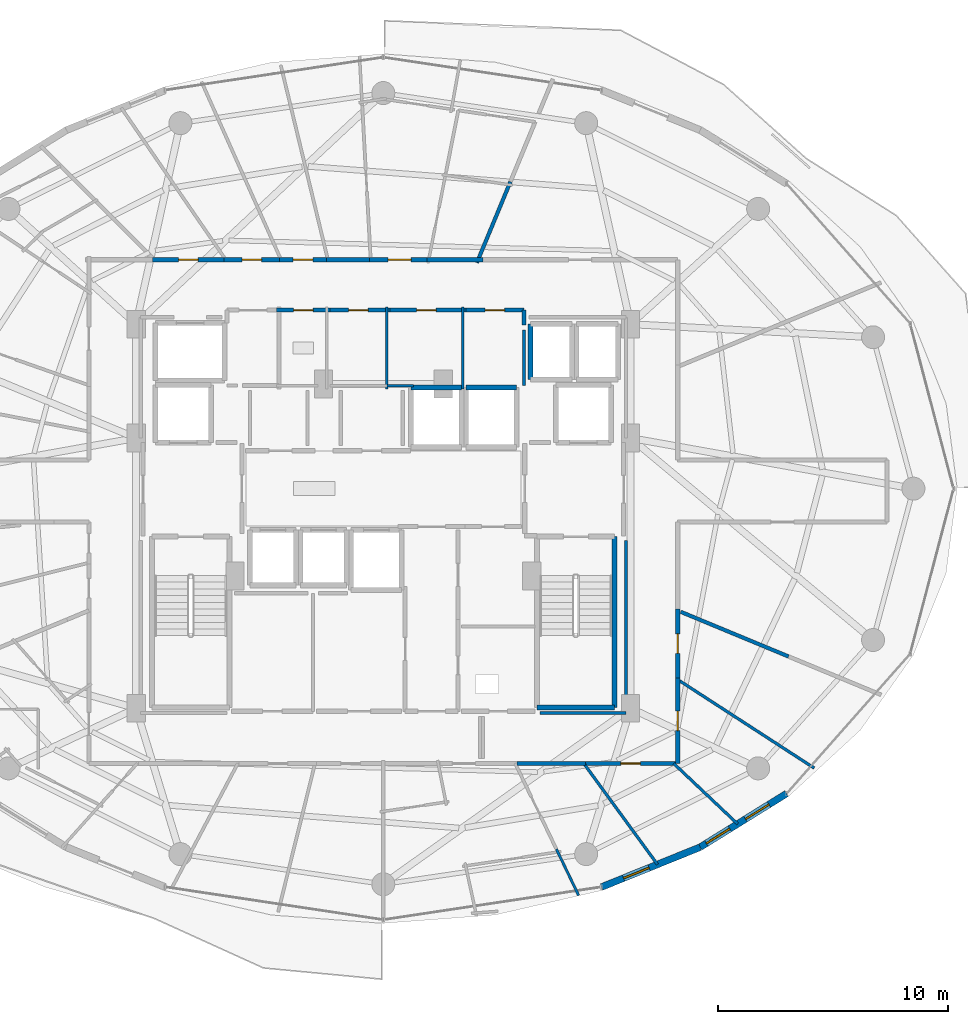
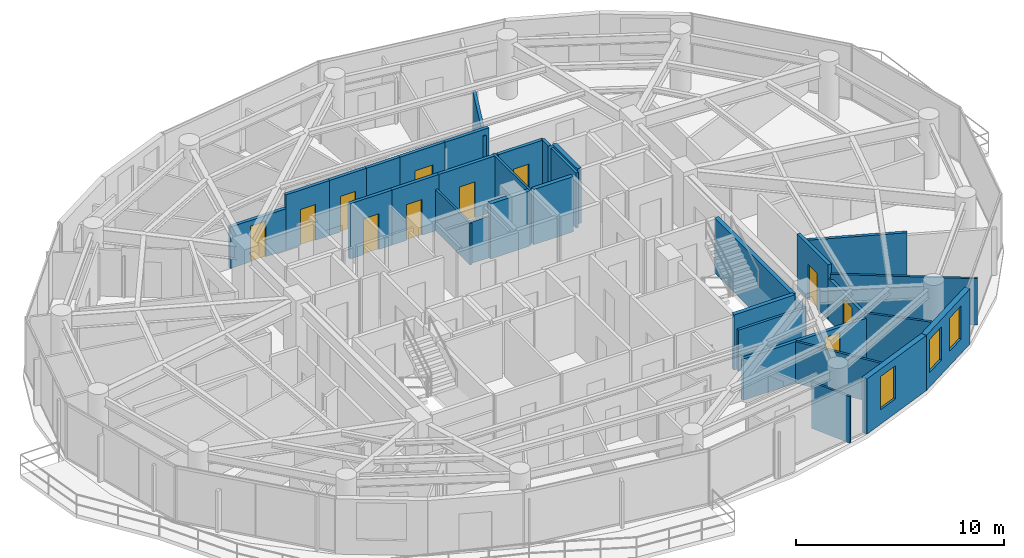
# One storey, part 23 of 28: 34 walls, 11 doors, 3 windows, 14 openings.
"""IFC4 building model written with IfcOpenShell, lengths in metres."""

from ifc_helpers import new_model, si_unit, direction, frame, frame_2d, origin, place, context, subcontext, project, spatial, rectangle, extrude, material, layer, layer_set, type_object, element, fill, save


model = new_model("IFC4")

# Units and contexts
model_context = context("Model", 3, precision=1e-05, world=origin(), true_north=direction((0.0, 1.0)))
body_context = subcontext(model_context, "Body", "Model", "MODEL_VIEW")
ifc_project = project(units=[si_unit("LENGTHUNIT", "METRE"), si_unit("AREAUNIT", "SQUARE_METRE"), si_unit("VOLUMEUNIT", "CUBIC_METRE"), si_unit("PLANEANGLEUNIT", "RADIAN"), si_unit("MASSUNIT", "GRAM", prefix="KILO")], contexts=[model_context])

# Site, building, storey
site_placement = place(None, origin())
site = spatial("IfcSite", under=ifc_project, at=site_placement, CompositionType="ELEMENT")
building_placement = place(site_placement, origin())
building = spatial("IfcBuilding", under=site, at=building_placement, Name="Vorneva Point Tower", CompositionType="ELEMENT")
storey_placement = place(building_placement, frame((0.0, 0.0, 160.60009765625)))
storey = spatial("IfcBuildingStorey", under=building, at=storey_placement, Name="L43", CompositionType="ELEMENT", Elevation=160.60009765625)

# Wall, opening, window
ifc_material_1 = material(Name="Precast concrete B50 (C40/50)", Category="concrete")
ifc_layer_1 = layer(ifc_material_1, 0.300048828125)
ifc_layer_set_1 = layer_set([ifc_layer_1], Name="Precast concrete B50 (C40/50)")
wall_type_1 = type_object("IfcWallType", Name="WL-EXT-300", PredefinedType="STANDARD", material=ifc_layer_set_1)
wall_1_placement = place(storey_placement, frame((47.490478515625, 8.67724609375, 0.0), z_axis=(0.0, 0.0, 1.0), x_axis=(0.927156504392, 0.374674280359, 0.0)))
wall_1 = element("IfcWall", 1, at=wall_1_placement, inside=storey, type_object=wall_type_1, Name="L43 Pale-Metal Facade Spandrel Wall 14.1", PredefinedType="STANDARD", context=body_context, shape_type="SweptSolid", body=[
    extrude(rectangle(XDim=4.62451171875, YDim=0.300048828125, at=frame_2d((2.312255859375, 0.0))), origin(), (0.0, 0.0, 1.0), 3.239990234375),
])
opening_1_placement = place(wall_1_placement, frame((1.02978515625, 0.0, 0.85009765625)))
opening_1 = element("IfcOpeningElement", 2, at=opening_1_placement, cuts=wall_1, Name="Opening W-04", PredefinedType="OPENING", context=body_context, shape_type="SweptSolid", body=[
    extrude(rectangle(XDim=1.199951171875, YDim=1.949951171875, at=frame_2d((0.60009765625, 0.97509765625))), frame((0.0, 0.1650390625, 0.0), z_axis=(0.0, -1.0, 0.0), x_axis=(1.0, 0.0, 0.0)), (0.0, 0.0, 1.0), 0.329833984375),
])
ifc_material_2 = material(Name="Double low-e laminated glass IGU", Category="glass")
window_type = type_object("IfcWindowType", Name="WN-RES-1200", PartitioningType="SINGLE_PANEL", PredefinedType="WINDOW", material=ifc_material_2)
window_1_placement = place(opening_1_placement, origin())
window_1 = element("IfcWindow", 3, at=window_1_placement, inside=storey, type_object=window_type, Name="L43 Dwelling Vision Window 03", OverallHeight=1.949951171875, OverallWidth=1.199951171875, PartitioningType="SINGLE_PANEL", PredefinedType="WINDOW", context=body_context, shape_type="SweptSolid", body=[
    extrude(rectangle(XDim=1.199951171875, YDim=1.949951171875, at=frame_2d((0.60009765625, 0.97509765625))), frame((0.0, 0.030029296875, 0.0), z_axis=(0.0, -1.0, 0.0), x_axis=(1.0, 0.0, 0.0)), (0.0, 0.0, 1.0), 0.06005859375),
])
fill(opening_1, window_1)

# Wall, openings, windows
wall_2_placement = place(storey_placement, frame((51.778076171875, 10.409912109375, 0.0), z_axis=(0.0, 0.0, 1.0), x_axis=(0.849721181976, 0.527232313977, 0.0)))
wall_2 = element("IfcWall", 4, at=wall_2_placement, inside=storey, type_object=wall_type_1, Name="L43 Pale-Metal Facade Spandrel Wall 14.2", PredefinedType="STANDARD", context=body_context, shape_type="SweptSolid", body=[
    extrude(rectangle(XDim=4.422607421875, YDim=0.300048828125, at=frame_2d((2.21142578125, 0.0))), origin(), (0.0, 0.0, 1.0), 3.239990234375),
])
opening_2_placement = place(wall_2_placement, frame((0.316650390625, 0.0, 0.85009765625)))
opening_2 = element("IfcOpeningElement", 5, at=opening_2_placement, cuts=wall_2, Name="Opening W-04", PredefinedType="OPENING", context=body_context, shape_type="SweptSolid", body=[
    extrude(rectangle(XDim=1.199951171875, YDim=1.949951171875, at=frame_2d((0.60009765625, 0.97509765625))), frame((0.0, 0.1650390625, 0.0), z_axis=(0.0, -1.0, 0.0), x_axis=(1.0, 0.0, 0.0)), (0.0, 0.0, 1.0), 0.329833984375),
])
opening_3_placement = place(wall_2_placement, frame((2.317626953125, 0.0, 0.85009765625)))
opening_3 = element("IfcOpeningElement", 6, at=opening_3_placement, cuts=wall_2, Name="Opening W-04", PredefinedType="OPENING", context=body_context, shape_type="SweptSolid", body=[
    extrude(rectangle(XDim=1.199951171875, YDim=1.949951171875, at=frame_2d((0.60009765625, 0.97509765625))), frame((0.0, 0.1650390625, 0.0), z_axis=(0.0, -1.0, 0.0), x_axis=(1.0, 0.0, 0.0)), (0.0, 0.0, 1.0), 0.329833984375),
])
window_2_placement = place(opening_2_placement, origin())
window_2 = element("IfcWindow", 7, at=window_2_placement, inside=storey, type_object=window_type, Name="L43 Dwelling Vision Window 04", OverallHeight=1.949951171875, OverallWidth=1.199951171875, PartitioningType="SINGLE_PANEL", PredefinedType="WINDOW", context=body_context, shape_type="SweptSolid", body=[
    extrude(rectangle(XDim=1.199951171875, YDim=1.949951171875, at=frame_2d((0.60009765625, 0.97509765625))), frame((0.0, 0.030029296875, 0.0), z_axis=(0.0, -1.0, 0.0), x_axis=(1.0, 0.0, 0.0)), (0.0, 0.0, 1.0), 0.06005859375),
])
fill(opening_2, window_2)
window_3_placement = place(opening_3_placement, origin())
window_3 = element("IfcWindow", 8, at=window_3_placement, inside=storey, type_object=window_type, Name="L43 Dwelling Vision Window 05", OverallHeight=1.949951171875, OverallWidth=1.199951171875, PartitioningType="SINGLE_PANEL", PredefinedType="WINDOW", context=body_context, shape_type="SweptSolid", body=[
    extrude(rectangle(XDim=1.199951171875, YDim=1.949951171875, at=frame_2d((0.60009765625, 0.97509765625))), frame((0.0, 0.030029296875, 0.0), z_axis=(0.0, -1.0, 0.0), x_axis=(1.0, 0.0, 0.0)), (0.0, 0.0, 1.0), 0.06005859375),
])
fill(opening_3, window_3)

# Walls
ifc_material_3 = material(Name="Fire-rated acoustic gypsum stud partition", Category="gypsum")
ifc_layer_2 = layer(ifc_material_3, 0.110107421875)
ifc_layer_set_2 = layer_set([ifc_layer_2], Name="Fire-rated acoustic gypsum stud partition")
wall_type_2 = type_object("IfcWallType", Name="WL-PART-110", PredefinedType="PARTITIONING", material=ifc_layer_set_2)
wall_3_placement = place(storey_placement, frame((38.14990234375, 30.340087890625, 0.0), z_axis=(0.0, 0.0, 1.0), x_axis=(0.0, 1.0, 0.0)))
element("IfcWall", 9, at=wall_3_placement, inside=storey, type_object=wall_type_2, Name="L43 Interior Partition 023", PredefinedType="PARTITIONING", context=body_context, shape_type="SweptSolid", body=[
    extrude(rectangle(XDim=3.559814453125, YDim=0.110107421875, at=frame_2d((1.77978515625, 0.0))), origin(), (0.0, 0.0, 1.0), 2.431884765625),
])
wall_4_placement = place(storey_placement, frame((41.449951171875, 30.340087890625, 0.0), z_axis=(0.0, 0.0, 1.0), x_axis=(0.0, 1.0, 0.0)))
element("IfcWall", 10, at=wall_4_placement, inside=storey, type_object=wall_type_2, Name="L43 Interior Partition 026", PredefinedType="PARTITIONING", context=body_context, shape_type="SweptSolid", body=[
    extrude(rectangle(XDim=3.559814453125, YDim=0.110107421875, at=frame_2d((1.77978515625, 0.0))), origin(), (0.0, 0.0, 1.0), 3.239990234375),
])
wall_5_placement = place(storey_placement, frame((38.1650390625, 30.47998046875, 0.0), z_axis=(0.0, 0.0, 1.0), x_axis=(1.0, 0.0, 0.0)))
element("IfcWall", 11, at=wall_5_placement, inside=storey, type_object=wall_type_2, Name="L43 Interior Partition 027", PredefinedType="PARTITIONING", context=body_context, shape_type="SweptSolid", body=[
    extrude(rectangle(XDim=1.155029296875, YDim=0.110107421875, at=frame_2d((0.57763671875, 0.0))), origin(), (0.0, 0.0, 1.0), 2.431884765625),
])
wall_6_placement = place(storey_placement, frame((45.525390625, 10.3271484375, 0.0), z_axis=(0.0, 0.0, 1.0), x_axis=(0.433064390328, -0.901362986721, 0.0)))
element("IfcWall", 12, at=wall_6_placement, inside=storey, type_object=wall_type_2, Name="L43 Interior Partition 122", PredefinedType="PARTITIONING", context=body_context, shape_type="SweptSolid", body=[
    extrude(rectangle(XDim=2.238037109375, YDim=0.110107421875, at=frame_2d((1.119140625, 0.0))), origin(), (0.0, 0.0, 1.0), 2.727783203125),
])
ifc_layer_3 = layer(ifc_material_3, 0.125)
ifc_layer_set_3 = layer_set([ifc_layer_3], Name="Fire-rated acoustic gypsum stud partition")
wall_type_3 = type_object("IfcWallType", Name="WL-PART-125", PredefinedType="PARTITIONING", material=ifc_layer_set_3)
wall_7_placement = place(storey_placement, frame((49.919921875, 9.660888671875, 0.0), z_axis=(0.0, 0.0, 1.0), x_axis=(-0.589349395673, 0.807878264233, 0.0)))
element("IfcWall", 13, at=wall_7_placement, inside=storey, type_object=wall_type_3, Name="L43 Interior Partition 125", PredefinedType="PARTITIONING", context=body_context, shape_type="SweptSolid", body=[
    extrude(rectangle(XDim=5.432861328125, YDim=0.125, at=frame_2d((2.71630859375, 0.0))), origin(), (0.0, 0.0, 1.0), 2.431884765625),
])
wall_8_placement = place(storey_placement, frame((53.404052734375, 11.4208984375, 0.0), z_axis=(0.0, 0.0, 1.0), x_axis=(-0.726306487509, 0.687370996044, 0.0)))
element("IfcWall", 14, at=wall_8_placement, inside=storey, type_object=wall_type_3, Name="L43 Interior Partition 126", PredefinedType="PARTITIONING", context=body_context, shape_type="SweptSolid", body=[
    extrude(rectangle(XDim=3.824951171875, YDim=0.125, at=frame_2d((1.91259765625, 0.0))), origin(), (0.0, 0.0, 1.0), 2.727783203125),
])
wall_9_placement = place(storey_placement, frame((56.736083984375, 13.85009765625, 0.0), z_axis=(0.0, 0.0, 1.0), x_axis=(-0.839059638195, 0.544039450364, 0.0)))
element("IfcWall", 15, at=wall_9_placement, inside=storey, type_object=wall_type_3, Name="L43 Interior Partition 127", PredefinedType="PARTITIONING", context=body_context, shape_type="SweptSolid", body=[
    extrude(rectangle(XDim=7.07470703125, YDim=0.125, at=frame_2d((3.537353515625, 0.0))), origin(), (0.0, 0.0, 1.0), 2.727783203125),
])
ifc_layer_4 = layer(ifc_material_3, 0.139892578125)
ifc_layer_set_4 = layer_set([ifc_layer_4], Name="Fire-rated acoustic gypsum stud partition")
wall_type_4 = type_object("IfcWallType", Name="WL-PART-140", PredefinedType="PARTITIONING", material=ifc_layer_set_4)
wall_10_placement = place(storey_placement, frame((44.1201171875, 30.47998046875, 0.0), z_axis=(0.0, 0.0, 1.0), x_axis=(0.0, 1.0, 0.0)))
element("IfcWall", 16, at=wall_10_placement, inside=storey, type_object=wall_type_4, Name="L43 Interior Closure Partition 134", PredefinedType="PARTITIONING", context=body_context, shape_type="SweptSolid", body=[
    extrude(rectangle(XDim=2.409912109375, YDim=0.139892578125, at=frame_2d((1.205078125, 0.0))), origin(), (0.0, 0.0, 1.0), 3.239990234375),
])
wall_11_placement = place(storey_placement, frame((44.804931640625, 16.239990234375, 0.0), z_axis=(0.0, 0.0, 1.0), x_axis=(1.0, 0.0, 0.0)))
element("IfcWall", 17, at=wall_11_placement, inside=storey, type_object=wall_type_4, Name="L43 Interior Closure Partition 150", PredefinedType="PARTITIONING", context=body_context, shape_type="SweptSolid", body=[
    extrude(rectangle(XDim=3.7451171875, YDim=0.139892578125, at=frame_2d((1.87255859375, 0.0))), origin(), (0.0, 0.0, 1.0), 2.431884765625),
])
wall_12_placement = place(storey_placement, frame((48.550048828125, 16.239990234375, 0.0), z_axis=(0.0, 0.0, 1.0), x_axis=(0.0, 1.0, 0.0)))
element("IfcWall", 18, at=wall_12_placement, inside=storey, type_object=wall_type_4, Name="L43 Interior Closure Partition 151", PredefinedType="PARTITIONING", context=body_context, shape_type="SweptSolid", body=[
    extrude(rectangle(XDim=7.513916015625, YDim=0.139892578125, at=frame_2d((3.7568359375, 0.0))), origin(), (0.0, 0.0, 1.0), 2.431884765625),
])
ifc_layer_5 = layer(ifc_material_3, 0.159912109375)
ifc_layer_set_5 = layer_set([ifc_layer_5], Name="Fire-rated acoustic gypsum stud partition")
wall_type_5 = type_object("IfcWallType", Name="WL-PART-160", PredefinedType="PARTITIONING", material=ifc_layer_set_5)
wall_13_placement = place(storey_placement, frame((42.0673828125, 35.82080078125, 0.0), z_axis=(0.0, 0.0, 1.0), x_axis=(0.382813734438, 0.92382554886, 0.0)))
element("IfcWall", 19, at=wall_13_placement, inside=storey, type_object=wall_type_5, Name="L43 Interior Partition 079", PredefinedType="PARTITIONING", context=body_context, shape_type="SweptSolid", body=[
    extrude(rectangle(XDim=3.811767578125, YDim=0.159912109375, at=frame_2d((1.90576171875, 0.0))), origin(), (0.0, 0.0, 1.0), 2.885986328125),
])
wall_14_placement = place(storey_placement, frame((55.623046875, 18.699951171875, 0.0), z_axis=(0.0, 0.0, 1.0), x_axis=(-0.923813457571, 0.382842912446, 0.0)))
element("IfcWall", 20, at=wall_14_placement, inside=storey, type_object=wall_type_5, Name="L43 Interior Partition 129", PredefinedType="PARTITIONING", context=body_context, shape_type="SweptSolid", body=[
    extrude(rectangle(XDim=5.078125, YDim=0.159912109375, at=frame_2d((2.5390625, 0.0))), origin(), (0.0, 0.0, 1.0), 2.885986328125),
])

# Wall, opening, door
ifc_material_4 = material(Name="Autoclaved aerated concrete blockwork", Category="masonry")
ifc_layer_6 = layer(ifc_material_4, 0.179931640625)
ifc_layer_set_6 = layer_set([ifc_layer_6], Name="Autoclaved aerated concrete blockwork")
wall_type_6 = type_object("IfcWallType", Name="WL-PART-180", PredefinedType="PARTITIONING", material=ifc_layer_set_6)
wall_15_placement = place(storey_placement, frame((35.68994140625, 33.760009765625, 0.0), z_axis=(0.0, 0.0, 1.0), x_axis=(-1.0, 0.0, 0.0)))
wall_15 = element("IfcWall", 21, at=wall_15_placement, inside=storey, type_object=wall_type_6, Name="L43 Interior Partition 022", PredefinedType="PARTITIONING", context=body_context, shape_type="SweptSolid", body=[
    extrude(rectangle(XDim=2.329833984375, YDim=0.179931640625, at=frame_2d((1.1650390625, 0.0))), origin(), (0.0, 0.0, 1.0), 3.239990234375),
])
opening_4_placement = place(wall_15_placement, frame((0.739990234375, 0.0, 0.0)))
opening_4 = element("IfcOpeningElement", 22, at=opening_4_placement, cuts=wall_15, Name="Opening ID-02", PredefinedType="OPENING", context=body_context, shape_type="SweptSolid", body=[
    extrude(rectangle(XDim=0.85009765625, YDim=2.10009765625, at=frame_2d((0.425048828125, 1.050048828125))), frame((0.0, 0.10498046875, 0.0), z_axis=(0.0, -1.0, 0.0), x_axis=(1.0, 0.0, 0.0)), (0.0, 0.0, 1.0), 0.209716796875),
])
ifc_material_5 = material(Name="Engineered oak fire-rated door leaf", Category="wood")
door_type_1 = type_object("IfcDoorType", Name="DR-BATH-850", OperationType="NOTDEFINED", PredefinedType="DOOR", material=ifc_material_5)
door_1_placement = place(opening_4_placement, origin())
door_1 = element("IfcDoor", 23, at=door_1_placement, inside=storey, type_object=door_type_1, Name="L43 Door Accessible WC / L43 Circulation Corridor", OperationType="SINGLE_SWING_LEFT", OverallHeight=2.10009765625, OverallWidth=0.85009765625, PredefinedType="DOOR", context=body_context, shape_type="SweptSolid", body=[
    extrude(rectangle(XDim=0.85009765625, YDim=2.10009765625, at=frame_2d((0.425048828125, 1.050048828125))), frame((0.0, 0.02490234375, 0.0), z_axis=(0.0, -1.0, 0.0), x_axis=(1.0, 0.0, 0.0)), (0.0, 0.0, 1.0), 0.050048828125),
])
fill(opening_4, door_1)

wall_16_placement = place(storey_placement, frame((38.2900390625, 33.760009765625, 0.0), z_axis=(0.0, 0.0, 1.0), x_axis=(-1.0, 0.0, 0.0)))
wall_16 = element("IfcWall", 24, at=wall_16_placement, inside=storey, type_object=wall_type_6, Name="L43 Interior Partition 025", PredefinedType="PARTITIONING", context=body_context, shape_type="SweptSolid", body=[
    extrude(rectangle(XDim=2.739990234375, YDim=0.179931640625, at=frame_2d((1.3701171875, 0.0))), origin(), (0.0, 0.0, 1.0), 3.239990234375),
])
opening_5_placement = place(wall_16_placement, frame((0.945068359375, 0.0, 0.0)))
opening_5 = element("IfcOpeningElement", 25, at=opening_5_placement, cuts=wall_16, Name="Opening ID-02", PredefinedType="OPENING", context=body_context, shape_type="SweptSolid", body=[
    extrude(rectangle(XDim=0.85009765625, YDim=2.10009765625, at=frame_2d((0.425048828125, 1.050048828125))), frame((0.0, 0.10498046875, 0.0), z_axis=(0.0, -1.0, 0.0), x_axis=(1.0, 0.0, 0.0)), (0.0, 0.0, 1.0), 0.209716796875),
])
door_2_placement = place(opening_5_placement, origin())
door_2 = element("IfcDoor", 26, at=door_2_placement, inside=storey, type_object=door_type_1, Name="L43 Door Public Male WC / L43 Circulation Corridor", OperationType="SINGLE_SWING_RIGHT", OverallHeight=2.10009765625, OverallWidth=0.85009765625, PredefinedType="DOOR", context=body_context, shape_type="SweptSolid", body=[
    extrude(rectangle(XDim=0.85009765625, YDim=2.10009765625, at=frame_2d((0.425048828125, 1.050048828125))), frame((0.0, 0.02490234375, 0.0), z_axis=(0.0, -1.0, 0.0), x_axis=(1.0, 0.0, 0.0)), (0.0, 0.0, 1.0), 0.050048828125),
])
fill(opening_5, door_2)

wall_17_placement = place(storey_placement, frame((41.590087890625, 33.760009765625, 0.0), z_axis=(0.0, 0.0, 1.0), x_axis=(-1.0, 0.0, 0.0)))
wall_17 = element("IfcWall", 27, at=wall_17_placement, inside=storey, type_object=wall_type_6, Name="L43 Interior Partition 028", PredefinedType="PARTITIONING", context=body_context, shape_type="SweptSolid", body=[
    extrude(rectangle(XDim=3.440185546875, YDim=0.179931640625, at=frame_2d((1.72021484375, 0.0))), origin(), (0.0, 0.0, 1.0), 3.239990234375),
])
opening_6_placement = place(wall_17_placement, frame((1.294921875, 0.0, 0.0)))
opening_6 = element("IfcOpeningElement", 28, at=opening_6_placement, cuts=wall_17, Name="Opening ID-02", PredefinedType="OPENING", context=body_context, shape_type="SweptSolid", body=[
    extrude(rectangle(XDim=0.85009765625, YDim=2.10009765625, at=frame_2d((0.425048828125, 1.050048828125))), frame((0.0, 0.10498046875, 0.0), z_axis=(0.0, -1.0, 0.0), x_axis=(1.0, 0.0, 0.0)), (0.0, 0.0, 1.0), 0.209716796875),
])
door_3_placement = place(opening_6_placement, origin())
door_3 = element("IfcDoor", 29, at=door_3_placement, inside=storey, type_object=door_type_1, Name="L43 Door Public Female WC / L43 Circulation Corridor", OperationType="SINGLE_SWING_LEFT", OverallHeight=2.10009765625, OverallWidth=0.85009765625, PredefinedType="DOOR", context=body_context, shape_type="SweptSolid", body=[
    extrude(rectangle(XDim=0.85009765625, YDim=2.10009765625, at=frame_2d((0.425048828125, 1.050048828125))), frame((0.0, 0.02490234375, 0.0), z_axis=(0.0, -1.0, 0.0), x_axis=(1.0, 0.0, 0.0)), (0.0, 0.0, 1.0), 0.050048828125),
])
fill(opening_6, door_3)

wall_18_placement = place(storey_placement, frame((44.1201171875, 33.760009765625, 0.0), z_axis=(0.0, 0.0, 1.0), x_axis=(-1.0, 0.0, 0.0)))
wall_18 = element("IfcWall", 30, at=wall_18_placement, inside=storey, type_object=wall_type_6, Name="L43 Interior Partition 029", PredefinedType="PARTITIONING", context=body_context, shape_type="SweptSolid", body=[
    extrude(rectangle(XDim=2.530029296875, YDim=0.179931640625, at=frame_2d((1.26513671875, 0.0))), origin(), (0.0, 0.0, 1.0), 3.239990234375),
])
opening_7_placement = place(wall_18_placement, frame((0.840087890625, 0.0, 0.0)))
opening_7 = element("IfcOpeningElement", 31, at=opening_7_placement, cuts=wall_18, Name="Opening ID-02", PredefinedType="OPENING", context=body_context, shape_type="SweptSolid", body=[
    extrude(rectangle(XDim=0.85009765625, YDim=2.10009765625, at=frame_2d((0.425048828125, 1.050048828125))), frame((0.0, 0.10498046875, 0.0), z_axis=(0.0, -1.0, 0.0), x_axis=(1.0, 0.0, 0.0)), (0.0, 0.0, 1.0), 0.209716796875),
])
door_4_placement = place(opening_7_placement, origin())
door_4 = element("IfcDoor", 32, at=door_4_placement, inside=storey, type_object=door_type_1, Name="L43 Door Cleaners Store / L43 Circulation Corridor", OperationType="SINGLE_SWING_RIGHT", OverallHeight=2.10009765625, OverallWidth=0.85009765625, PredefinedType="DOOR", context=body_context, shape_type="SweptSolid", body=[
    extrude(rectangle(XDim=0.85009765625, YDim=2.10009765625, at=frame_2d((0.425048828125, 1.050048828125))), frame((0.0, 0.02490234375, 0.0), z_axis=(0.0, -1.0, 0.0), x_axis=(1.0, 0.0, 0.0)), (0.0, 0.0, 1.0), 0.050048828125),
])
fill(opening_7, door_4)

# Wall
wall_19_placement = place(storey_placement, frame((44.1201171875, 33.110107421875, 0.0), z_axis=(0.0, 0.0, 1.0), x_axis=(0.0, 1.0, 0.0)))
element("IfcWall", 33, at=wall_19_placement, inside=storey, type_object=wall_type_6, Name="L43 Interior Partition 030", PredefinedType="PARTITIONING", context=body_context, shape_type="SweptSolid", body=[
    extrude(rectangle(XDim=0.64990234375, YDim=0.179931640625, at=frame_2d((0.324951171875, 0.0))), origin(), (0.0, 0.0, 1.0), 3.239990234375),
])

# Wall, opening, door
wall_20_placement = place(storey_placement, frame((40.033935546875, 35.949951171875, 0.0), z_axis=(0.0, 0.0, 1.0), x_axis=(-1.0, 0.0, 0.0)))
wall_20 = element("IfcWall", 34, at=wall_20_placement, inside=storey, type_object=wall_type_6, Name="L43 Interior Partition 034", PredefinedType="PARTITIONING", context=body_context, shape_type="SweptSolid", body=[
    extrude(rectangle(XDim=2.641845703125, YDim=0.179931640625, at=frame_2d((1.32080078125, 0.0))), origin(), (0.0, 0.0, 1.0), 3.239990234375),
])
opening_8_placement = place(wall_20_placement, frame((0.821044921875, 0.0, 0.0)))
opening_8 = element("IfcOpeningElement", 35, at=opening_8_placement, cuts=wall_20, Name="Opening UD-01", PredefinedType="OPENING", context=body_context, shape_type="SweptSolid", body=[
    extrude(rectangle(XDim=1.0, YDim=2.14990234375, at=frame_2d((0.5, 1.074951171875))), frame((0.0, 0.10498046875, 0.0), z_axis=(0.0, -1.0, 0.0), x_axis=(1.0, 0.0, 0.0)), (0.0, 0.0, 1.0), 0.209716796875),
])
door_type_2 = type_object("IfcDoorType", Name="DR-UNIT-1000", OperationType="NOTDEFINED", PredefinedType="DOOR", material=ifc_material_5)
door_5_placement = place(opening_8_placement, origin())
door_5 = element("IfcDoor", 36, at=door_5_placement, inside=storey, type_object=door_type_2, Name="L43 Door L43 Circulation Corridor / Living and Dining Room L43-01", OperationType="SINGLE_SWING_LEFT", OverallHeight=2.14990234375, OverallWidth=1.0, PredefinedType="DOOR", context=body_context, shape_type="SweptSolid", body=[
    extrude(rectangle(XDim=1.0, YDim=2.14990234375, at=frame_2d((0.5, 1.074951171875))), frame((0.0, 0.02490234375, 0.0), z_axis=(0.0, -1.0, 0.0), x_axis=(1.0, 0.0, 0.0)), (0.0, 0.0, 1.0), 0.050048828125),
])
fill(opening_8, door_5)

# Walls
wall_21_placement = place(storey_placement, frame((42.325927734375, 35.949951171875, 0.0), z_axis=(0.0, 0.0, 1.0), x_axis=(-1.0, 0.0, 0.0)))
element("IfcWall", 37, at=wall_21_placement, inside=storey, type_object=wall_type_6, Name="L43 Interior Partition 035", PredefinedType="PARTITIONING", context=body_context, shape_type="SweptSolid", body=[
    extrude(rectangle(XDim=2.431884765625, YDim=0.179931640625, at=frame_2d((1.2158203125, 0.0))), origin(), (0.0, 0.0, 1.0), 3.239990234375),
])
wall_22_placement = place(storey_placement, frame((37.39208984375, 35.949951171875, 0.0), z_axis=(0.0, 0.0, 1.0), x_axis=(-1.0, 0.0, 0.0)))
element("IfcWall", 38, at=wall_22_placement, inside=storey, type_object=wall_type_6, Name="L43 Interior Partition 036", PredefinedType="PARTITIONING", context=body_context, shape_type="SweptSolid", body=[
    extrude(rectangle(XDim=1.863037109375, YDim=0.179931640625, at=frame_2d((0.931640625, 0.0))), origin(), (0.0, 0.0, 1.0), 3.239990234375),
])

# Wall, opening, door
wall_23_placement = place(storey_placement, frame((35.529052734375, 35.949951171875, 0.0), z_axis=(0.0, 0.0, 1.0), x_axis=(-1.0, 0.0, 0.0)))
wall_23 = element("IfcWall", 39, at=wall_23_placement, inside=storey, type_object=wall_type_6, Name="L43 Interior Partition 037", PredefinedType="PARTITIONING", context=body_context, shape_type="SweptSolid", body=[
    extrude(rectangle(XDim=2.041015625, YDim=0.179931640625, at=frame_2d((1.0205078125, 0.0))), origin(), (0.0, 0.0, 1.0), 3.239990234375),
])
opening_9_placement = place(wall_23_placement, frame((0.595458984375, 0.0, 0.0)))
opening_9 = element("IfcOpeningElement", 40, at=opening_9_placement, cuts=wall_23, Name="Opening ID-02", PredefinedType="OPENING", context=body_context, shape_type="SweptSolid", body=[
    extrude(rectangle(XDim=0.85009765625, YDim=2.10009765625, at=frame_2d((0.425048828125, 1.050048828125))), frame((0.0, 0.10498046875, 0.0), z_axis=(0.0, -1.0, 0.0), x_axis=(1.0, 0.0, 0.0)), (0.0, 0.0, 1.0), 0.209716796875),
])
door_6_placement = place(opening_9_placement, origin())
door_6 = element("IfcDoor", 41, at=door_6_placement, inside=storey, type_object=door_type_1, Name="L43 Access Door L43 Circulation Corridor", OperationType="SINGLE_SWING_RIGHT", OverallHeight=2.10009765625, OverallWidth=0.85009765625, PredefinedType="DOOR", context=body_context, shape_type="SweptSolid", body=[
    extrude(rectangle(XDim=0.85009765625, YDim=2.10009765625, at=frame_2d((0.425048828125, 1.050048828125))), frame((0.0, 0.02490234375, 0.0), z_axis=(0.0, -1.0, 0.0), x_axis=(1.0, 0.0, 0.0)), (0.0, 0.0, 1.0), 0.050048828125),
])
fill(opening_9, door_6)

wall_24_placement = place(storey_placement, frame((33.488037109375, 35.949951171875, 0.0), z_axis=(0.0, 0.0, 1.0), x_axis=(-1.0, 0.0, 0.0)))
wall_24 = element("IfcWall", 42, at=wall_24_placement, inside=storey, type_object=wall_type_6, Name="L43 Interior Partition 038", PredefinedType="PARTITIONING", context=body_context, shape_type="SweptSolid", body=[
    extrude(rectangle(XDim=2.408935546875, YDim=0.179931640625, at=frame_2d((1.20458984375, 0.0))), origin(), (0.0, 0.0, 1.0), 3.239990234375),
])
opening_10_placement = place(wall_24_placement, frame((0.779541015625, 0.0, 0.0)))
opening_10 = element("IfcOpeningElement", 43, at=opening_10_placement, cuts=wall_24, Name="Opening ID-02", PredefinedType="OPENING", context=body_context, shape_type="SweptSolid", body=[
    extrude(rectangle(XDim=0.85009765625, YDim=2.10009765625, at=frame_2d((0.425048828125, 1.050048828125))), frame((0.0, 0.10498046875, 0.0), z_axis=(0.0, -1.0, 0.0), x_axis=(1.0, 0.0, 0.0)), (0.0, 0.0, 1.0), 0.209716796875),
])
door_7_placement = place(opening_10_placement, origin())
door_7 = element("IfcDoor", 44, at=door_7_placement, inside=storey, type_object=door_type_1, Name="L43 Access Door L43 Circulation Corridor", OperationType="SINGLE_SWING_LEFT", OverallHeight=2.10009765625, OverallWidth=0.85009765625, PredefinedType="DOOR", context=body_context, shape_type="SweptSolid", body=[
    extrude(rectangle(XDim=0.85009765625, YDim=2.10009765625, at=frame_2d((0.425048828125, 1.050048828125))), frame((0.0, 0.02490234375, 0.0), z_axis=(0.0, -1.0, 0.0), x_axis=(1.0, 0.0, 0.0)), (0.0, 0.0, 1.0), 0.050048828125),
])
fill(opening_10, door_7)

wall_25_placement = place(storey_placement, frame((31.0791015625, 35.949951171875, 0.0), z_axis=(0.0, 0.0, 1.0), x_axis=(-1.0, 0.0, 0.0)))
wall_25 = element("IfcWall", 45, at=wall_25_placement, inside=storey, type_object=wall_type_6, Name="L43 Interior Partition 039", PredefinedType="PARTITIONING", context=body_context, shape_type="SweptSolid", body=[
    extrude(rectangle(XDim=3.114013671875, YDim=0.179931640625, at=frame_2d((1.55712890625, 0.0))), origin(), (0.0, 0.0, 1.0), 2.431884765625),
])
opening_11_placement = place(wall_25_placement, frame((1.132080078125, 0.0, 0.0)))
opening_11 = element("IfcOpeningElement", 46, at=opening_11_placement, cuts=wall_25, Name="Opening ID-02", PredefinedType="OPENING", context=body_context, shape_type="SweptSolid", body=[
    extrude(rectangle(XDim=0.85009765625, YDim=2.10009765625, at=frame_2d((0.425048828125, 1.050048828125))), frame((0.0, 0.10498046875, 0.0), z_axis=(0.0, -1.0, 0.0), x_axis=(1.0, 0.0, 0.0)), (0.0, 0.0, 1.0), 0.209716796875),
])
door_8_placement = place(opening_11_placement, origin())
door_8 = element("IfcDoor", 47, at=door_8_placement, inside=storey, type_object=door_type_1, Name="L43 Access Door L43 Circulation Corridor", OperationType="SINGLE_SWING_RIGHT", OverallHeight=2.10009765625, OverallWidth=0.85009765625, PredefinedType="DOOR", context=body_context, shape_type="SweptSolid", body=[
    extrude(rectangle(XDim=0.85009765625, YDim=2.10009765625, at=frame_2d((0.425048828125, 1.050048828125))), frame((0.0, 0.02490234375, 0.0), z_axis=(0.0, -1.0, 0.0), x_axis=(1.0, 0.0, 0.0)), (0.0, 0.0, 1.0), 0.050048828125),
])
fill(opening_11, door_8)

# Wall
wall_26_placement = place(storey_placement, frame((43.804931640625, 14.050048828125, 0.0), z_axis=(0.0, 0.0, 1.0), x_axis=(1.0, 0.0, 0.0)))
element("IfcWall", 48, at=wall_26_placement, inside=storey, type_object=wall_type_6, Name="L43 Interior Partition 059", PredefinedType="PARTITIONING", context=body_context, shape_type="SweptSolid", body=[
    extrude(rectangle(XDim=2.987060546875, YDim=0.179931640625, at=frame_2d((1.49365234375, 0.0))), origin(), (0.0, 0.0, 1.0), 2.431884765625),
])

# Wall, opening, door
wall_27_placement = place(storey_placement, frame((46.7919921875, 14.050048828125, 0.0), z_axis=(0.0, 0.0, 1.0), x_axis=(1.0, 0.0, 0.0)))
wall_27 = element("IfcWall", 49, at=wall_27_placement, inside=storey, type_object=wall_type_6, Name="L43 Interior Partition 060", PredefinedType="PARTITIONING", context=body_context, shape_type="SweptSolid", body=[
    extrude(rectangle(XDim=3.9208984375, YDim=0.179931640625, at=frame_2d((1.96044921875, 0.0))), origin(), (0.0, 0.0, 1.0), 2.431884765625),
])
opening_12_placement = place(wall_27_placement, frame((1.535400390625, 0.0, 0.0)))
opening_12 = element("IfcOpeningElement", 50, at=opening_12_placement, cuts=wall_27, Name="Opening ID-02", PredefinedType="OPENING", context=body_context, shape_type="SweptSolid", body=[
    extrude(rectangle(XDim=0.85009765625, YDim=2.10009765625, at=frame_2d((0.425048828125, 1.050048828125))), frame((0.0, 0.10498046875, 0.0), z_axis=(0.0, -1.0, 0.0), x_axis=(1.0, 0.0, 0.0)), (0.0, 0.0, 1.0), 0.209716796875),
])
door_9_placement = place(opening_12_placement, origin())
door_9 = element("IfcDoor", 51, at=door_9_placement, inside=storey, type_object=door_type_1, Name="L43 Access Door L43 Circulation Corridor", OperationType="SINGLE_SWING_LEFT", OverallHeight=2.10009765625, OverallWidth=0.85009765625, PredefinedType="DOOR", context=body_context, shape_type="SweptSolid", body=[
    extrude(rectangle(XDim=0.85009765625, YDim=2.10009765625, at=frame_2d((0.425048828125, 1.050048828125))), frame((0.0, 0.02490234375, 0.0), z_axis=(0.0, -1.0, 0.0), x_axis=(1.0, 0.0, 0.0)), (0.0, 0.0, 1.0), 0.050048828125),
])
fill(opening_12, door_9)

wall_28_placement = place(storey_placement, frame((50.800048828125, 14.050048828125, 0.0), z_axis=(0.0, 0.0, 1.0), x_axis=(0.0, 1.0, 0.0)))
wall_28 = element("IfcWall", 52, at=wall_28_placement, inside=storey, type_object=wall_type_6, Name="L43 Interior Partition 061", PredefinedType="PARTITIONING", context=body_context, shape_type="SweptSolid", body=[
    extrude(rectangle(XDim=3.708984375, YDim=0.179931640625, at=frame_2d((1.8544921875, 0.0))), origin(), (0.0, 0.0, 1.0), 2.431884765625),
])
opening_13_placement = place(wall_28_placement, frame((1.429443359375, 0.0, 0.0)))
opening_13 = element("IfcOpeningElement", 53, at=opening_13_placement, cuts=wall_28, Name="Opening ID-02", PredefinedType="OPENING", context=body_context, shape_type="SweptSolid", body=[
    extrude(rectangle(XDim=0.85009765625, YDim=2.10009765625, at=frame_2d((0.425048828125, 1.050048828125))), frame((0.0, 0.10498046875, 0.0), z_axis=(0.0, -1.0, 0.0), x_axis=(1.0, 0.0, 0.0)), (0.0, 0.0, 1.0), 0.209716796875),
])
door_10_placement = place(opening_13_placement, origin())
door_10 = element("IfcDoor", 54, at=door_10_placement, inside=storey, type_object=door_type_1, Name="L43 Access Door L43 Circulation Corridor", OperationType="SINGLE_SWING_RIGHT", OverallHeight=2.10009765625, OverallWidth=0.85009765625, PredefinedType="DOOR", context=body_context, shape_type="SweptSolid", body=[
    extrude(rectangle(XDim=0.85009765625, YDim=2.10009765625, at=frame_2d((0.425048828125, 1.050048828125))), frame((0.0, 0.02490234375, 0.0), z_axis=(0.0, -1.0, 0.0), x_axis=(1.0, 0.0, 0.0)), (0.0, 0.0, 1.0), 0.050048828125),
])
fill(opening_13, door_10)

wall_29_placement = place(storey_placement, frame((50.800048828125, 17.759033203125, 0.0), z_axis=(0.0, 0.0, 1.0), x_axis=(0.0, 1.0, 0.0)))
wall_29 = element("IfcWall", 55, at=wall_29_placement, inside=storey, type_object=wall_type_6, Name="L43 Interior Partition 062", PredefinedType="PARTITIONING", context=body_context, shape_type="SweptSolid", body=[
    extrude(rectangle(XDim=2.9990234375, YDim=0.179931640625, at=frame_2d((1.49951171875, 0.0))), origin(), (0.0, 0.0, 1.0), 3.239990234375),
])
opening_14_placement = place(wall_29_placement, frame((1.074462890625, 0.0, 0.0)))
opening_14 = element("IfcOpeningElement", 56, at=opening_14_placement, cuts=wall_29, Name="Opening ID-02", PredefinedType="OPENING", context=body_context, shape_type="SweptSolid", body=[
    extrude(rectangle(XDim=0.85009765625, YDim=2.10009765625, at=frame_2d((0.425048828125, 1.050048828125))), frame((0.0, 0.10498046875, 0.0), z_axis=(0.0, -1.0, 0.0), x_axis=(1.0, 0.0, 0.0)), (0.0, 0.0, 1.0), 0.209716796875),
])
door_11_placement = place(opening_14_placement, origin())
door_11 = element("IfcDoor", 57, at=door_11_placement, inside=storey, type_object=door_type_1, Name="L43 Access Door L43 Circulation Corridor", OperationType="SINGLE_SWING_LEFT", OverallHeight=2.10009765625, OverallWidth=0.85009765625, PredefinedType="DOOR", context=body_context, shape_type="SweptSolid", body=[
    extrude(rectangle(XDim=0.85009765625, YDim=2.10009765625, at=frame_2d((0.425048828125, 1.050048828125))), frame((0.0, 0.02490234375, 0.0), z_axis=(0.0, -1.0, 0.0), x_axis=(1.0, 0.0, 0.0)), (0.0, 0.0, 1.0), 0.050048828125),
])
fill(opening_14, door_11)

# Walls
ifc_material_6 = material(Name="Concrete B50 (C40/50)", Category="concrete")
ifc_layer_7 = layer(ifc_material_6, 0.219970703125)
ifc_layer_set_7 = layer_set([ifc_layer_7], Name="Concrete B50 (C40/50)")
wall_type_7 = type_object("IfcWallType", Name="WL-SHFT-220", PredefinedType="SOLIDWALL", material=ifc_layer_set_7)
wall_30_placement = place(storey_placement, frame((48.06005859375, 23.909912109375, 0.0), z_axis=(0.0, 0.0, 1.0), x_axis=(0.0, -1.0, 0.0)))
element("IfcWall", 58, at=wall_30_placement, inside=storey, type_object=wall_type_7, Name="L43 Exit Stair ST2 Shaft Wall right", PredefinedType="SOLIDWALL", context=body_context, shape_type="SweptSolid", body=[
    extrude(rectangle(XDim=7.419921875, YDim=0.219970703125, at=frame_2d((3.7099609375, 0.0))), origin(), (0.0, 0.0, 1.0), 3.239990234375),
])
wall_31_placement = place(storey_placement, frame((48.06005859375, 16.489990234375, 0.0), z_axis=(0.0, 0.0, 1.0), x_axis=(-1.0, 0.0, 0.0)))
element("IfcWall", 59, at=wall_31_placement, inside=storey, type_object=wall_type_7, Name="L43 Exit Stair ST2 Shaft Wall far", PredefinedType="SOLIDWALL", context=body_context, shape_type="SweptSolid", body=[
    extrude(rectangle(XDim=3.3701171875, YDim=0.219970703125, at=frame_2d((1.68505859375, 0.0))), origin(), (0.0, 0.0, 1.0), 3.239990234375),
])
for number, where, z_axis, x_axis, name in (
    (60, (41.39990234375, 30.39990234375, 0.0), (0.0, 0.0, 1.0), (-1.0, 0.0, 0.0), "L43 Lift PL7 Shaft Wall +Y"),
    (61, (43.800048828125, 30.39990234375, 0.0), (0.0, 0.0, 1.0), (-1.0, 0.0, 0.0), "L43 Lift PL8 Shaft Wall +Y"),
):
    element("IfcWall", number, at=place(storey_placement, frame(where, z_axis=z_axis, x_axis=x_axis)), inside=storey, type_object=wall_type_7, Name=name, PredefinedType="SOLIDWALL", context=body_context, shape_type="SweptSolid", body=[
        extrude(rectangle(XDim=2.199951171875, YDim=0.219970703125, at=frame_2d((1.10009765625, 0.0))), origin(), (0.0, 0.0, 1.0), 3.239990234375),
    ])
wall_32_placement = place(storey_placement, frame((44.39990234375, 33.159912109375, 0.0), z_axis=(0.0, 0.0, 1.0), x_axis=(0.0, -1.0, 0.0)))
element("IfcWall", 62, at=wall_32_placement, inside=storey, type_object=wall_type_7, Name="L43 Lift EX1 Shaft Wall -X", PredefinedType="SOLIDWALL", context=body_context, shape_type="SweptSolid", body=[
    extrude(rectangle(XDim=2.419921875, YDim=0.219970703125, at=frame_2d((1.2099609375, 0.0))), origin(), (0.0, 0.0, 1.0), 3.239990234375),
])

save(model, "model.ifc")
